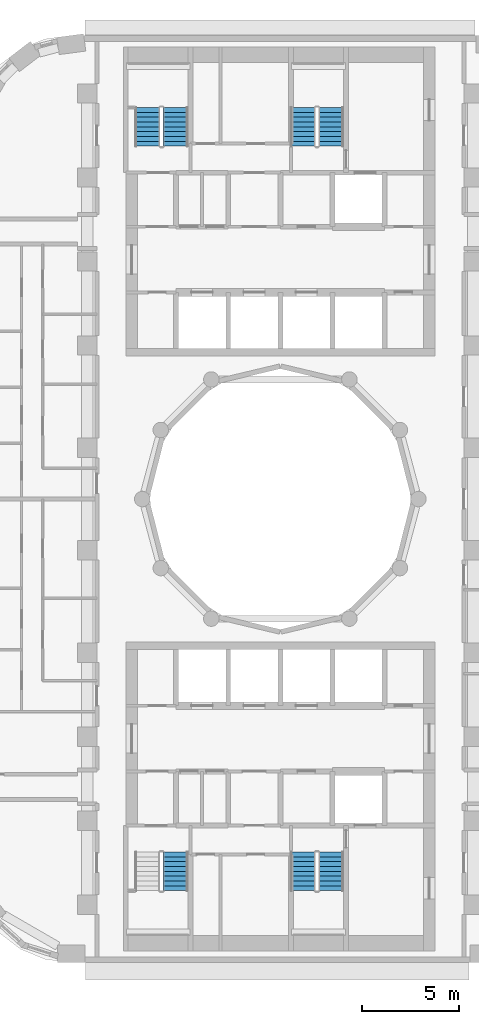
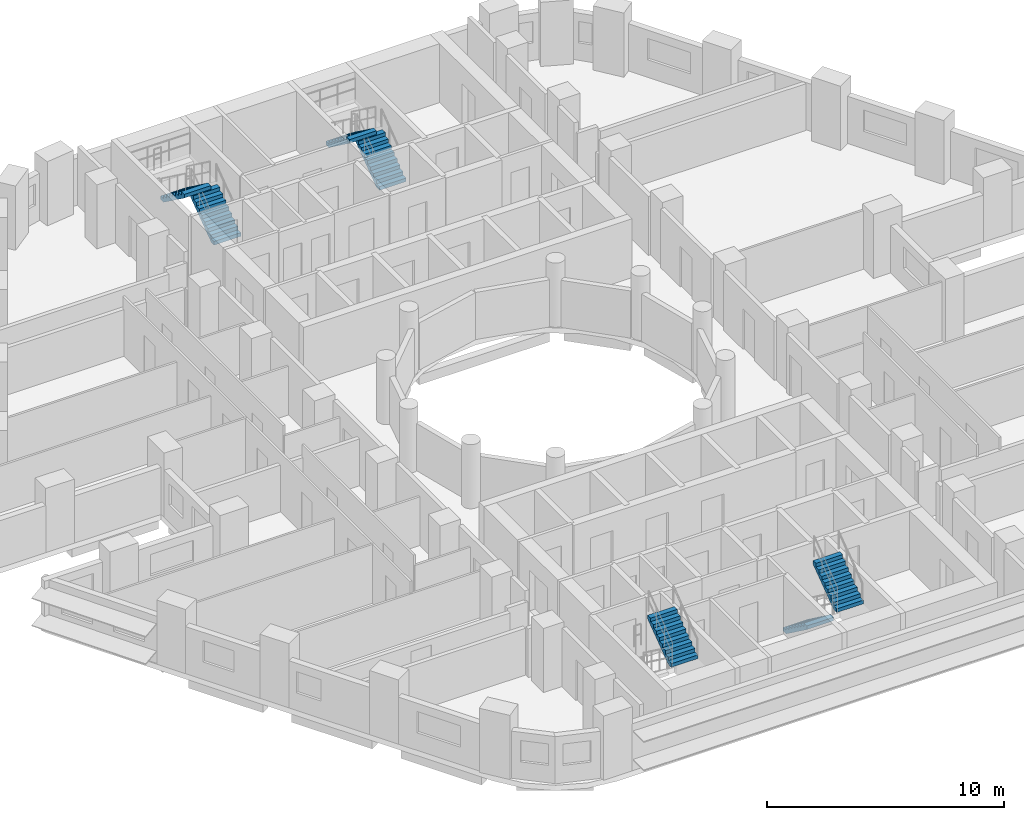
# One storey, part 9 of 14: 7 stair flights, 4 elements without a shape of their own.
"""IFC4 building model written with IfcOpenShell, lengths in metres."""

from ifc_helpers import new_model, si_unit, direction, frame, origin, place, context, subcontext, project, spatial, polyline, outline, extrude, material, type_object, element, aggregate, save


model = new_model("IFC4")

# Units and contexts
model_context = context("Model", 3, precision=1e-05, world=origin(), true_north=direction((0.0, 1.0)))
body_context = subcontext(model_context, "Body", "Model", "MODEL_VIEW")
ifc_project = project(units=[si_unit("LENGTHUNIT", "METRE"), si_unit("AREAUNIT", "SQUARE_METRE"), si_unit("VOLUMEUNIT", "CUBIC_METRE"), si_unit("PLANEANGLEUNIT", "RADIAN"), si_unit("MASSUNIT", "GRAM", prefix="KILO")], contexts=[model_context])

# Site, building, storey
site_placement = place(None, origin())
site = spatial("IfcSite", under=ifc_project, at=site_placement, CompositionType="ELEMENT")
building_placement = place(site_placement, origin())
building = spatial("IfcBuilding", under=site, at=building_placement, Name="Nakaniwa Court", CompositionType="ELEMENT")
storey_placement = place(building_placement, frame((0.0, 0.0, 107.39990234375)))
storey = spatial("IfcBuildingStorey", under=building, at=storey_placement, Name="L28", CompositionType="ELEMENT", Elevation=107.39990234375)

# Stair, stair flights
ifc_material = material(Name="Concrete C80/100", Category="concrete")
stair_type = type_object("IfcStairType", Name="Dog leg stair 1300 wide 18 risers", PredefinedType="HALF_TURN_STAIR", material=ifc_material)
stair_1_placement = place(storey_placement, origin())
stair_1 = element("IfcStair", 1, at=stair_1_placement, inside=storey, type_object=stair_type, Name="L28 Stair ST1", PredefinedType="HALF_TURN_STAIR")
stair_flight_type = type_object("IfcStairFlightType", Name="Stair flight 1300 wide 9 risers", PredefinedType="STRAIGHT", material=ifc_material)
stair_flight_1_placement = place(storey_placement, frame((74.574951171875, 98.27490234375, 0.0), z_axis=(0.0, 0.0, 1.0), x_axis=(0.0, 1.0, 0.0)))
stair_flight_1 = element("IfcStairFlight", 2, at=stair_flight_1_placement, type_object=stair_flight_type, Name="ST1 flight 1", NumberOfRisers=9, NumberOfTreads=8, PredefinedType="STRAIGHT", RiserHeight=0.183333333, TreadLength=0.25, context=body_context, shape_type="SweptSolid", body=[
    extrude(outline(polyline([(0.0, 0.0), (0.0, 0.026123046875), (0.0, 0.052490234375), (0.0, 0.07861328125), (0.0, 0.104736328125), (0.0, 0.130859375), (0.0, 0.1572265625), (0.0, 0.183349609375), (0.25, 0.183349609375), (0.25, 0.36669921875), (0.5, 0.36669921875), (0.5, 0.550048828125), (0.75, 0.550048828125), (0.75, 0.7333984375), (1.0, 0.7333984375), (1.0, 0.916748046875), (1.25, 0.916748046875), (1.25, 1.10009765625), (1.5, 1.10009765625), (1.5, 1.283447265625), (1.75, 1.283447265625), (1.75, 1.466552734375), (2.0, 1.466552734375), (2.0, 1.64990234375), (2.0, 1.59716796875), (2.0, 1.54443359375), (2.0, 1.49169921875), (2.0, 1.43896484375), (2.0, 1.38623046875), (2.0, 1.33349609375), (2.0, 1.28076171875), (0.25341796875, 0.0), (0.0, 0.0)])), frame((0.0, 0.64990234375, 0.0), z_axis=(0.0, -1.0, 0.0), x_axis=(1.0, 0.0, 0.0)), (0.0, 0.0, 1.0), 1.300048828125),
])
stair_flight_2_placement = place(storey_placement, frame((73.125, 100.27490234375, 1.650146484375), z_axis=(0.0, 0.0, 1.0), x_axis=(0.0, -1.0, 0.0)))
stair_flight_2 = element("IfcStairFlight", 3, at=stair_flight_2_placement, type_object=stair_flight_type, Name="ST1 flight 2", NumberOfRisers=9, NumberOfTreads=8, PredefinedType="STRAIGHT", RiserHeight=0.183333333, TreadLength=0.25, context=body_context, shape_type="SweptSolid", body=[
    extrude(outline(polyline([(0.0, 0.0), (0.0, 0.026123046875), (0.0, 0.052490234375), (0.0, 0.07861328125), (0.0, 0.104736328125), (0.0, 0.130859375), (0.0, 0.1572265625), (0.0, 0.183349609375), (0.25, 0.183349609375), (0.25, 0.36669921875), (0.5, 0.36669921875), (0.5, 0.550048828125), (0.75, 0.550048828125), (0.75, 0.7333984375), (1.0, 0.7333984375), (1.0, 0.916748046875), (1.25, 0.916748046875), (1.25, 1.10009765625), (1.5, 1.10009765625), (1.5, 1.283447265625), (1.75, 1.283447265625), (1.75, 1.466552734375), (2.0, 1.466552734375), (2.0, 1.64990234375), (2.0, 1.59716796875), (2.0, 1.54443359375), (2.0, 1.49169921875), (2.0, 1.43896484375), (2.0, 1.38623046875), (2.0, 1.33349609375), (2.0, 1.28076171875), (0.25341796875, 0.0), (0.0, 0.0)])), frame((0.0, 0.64990234375, 0.0), z_axis=(0.0, -1.0, 0.0), x_axis=(1.0, 0.0, 0.0)), (0.0, 0.0, 1.0), 1.300048828125),
])
aggregate(stair_1, [stair_flight_1, stair_flight_2])

stair_2_placement = place(storey_placement, origin())
stair_2 = element("IfcStair", 4, at=stair_2_placement, inside=storey, type_object=stair_type, Name="L28 Stair ST2", PredefinedType="HALF_TURN_STAIR")
stair_flight_3_placement = place(storey_placement, frame((82.625, 98.27490234375, 0.0), z_axis=(0.0, 0.0, 1.0), x_axis=(0.0, 1.0, 0.0)))
stair_flight_3 = element("IfcStairFlight", 5, at=stair_flight_3_placement, type_object=stair_flight_type, Name="ST2 flight 1", NumberOfRisers=9, NumberOfTreads=8, PredefinedType="STRAIGHT", RiserHeight=0.183333333, TreadLength=0.25, context=body_context, shape_type="SweptSolid", body=[
    extrude(outline(polyline([(0.0, 0.0), (0.0, 0.026123046875), (0.0, 0.052490234375), (0.0, 0.07861328125), (0.0, 0.104736328125), (0.0, 0.130859375), (0.0, 0.1572265625), (0.0, 0.183349609375), (0.25, 0.183349609375), (0.25, 0.36669921875), (0.5, 0.36669921875), (0.5, 0.550048828125), (0.75, 0.550048828125), (0.75, 0.7333984375), (1.0, 0.7333984375), (1.0, 0.916748046875), (1.25, 0.916748046875), (1.25, 1.10009765625), (1.5, 1.10009765625), (1.5, 1.283447265625), (1.75, 1.283447265625), (1.75, 1.466552734375), (2.0, 1.466552734375), (2.0, 1.64990234375), (2.0, 1.59716796875), (2.0, 1.54443359375), (2.0, 1.49169921875), (2.0, 1.43896484375), (2.0, 1.38623046875), (2.0, 1.33349609375), (2.0, 1.28076171875), (0.25341796875, 0.0), (0.0, 0.0)])), frame((0.0, 0.64990234375, 0.0), z_axis=(0.0, -1.0, 0.0), x_axis=(1.0, 0.0, 0.0)), (0.0, 0.0, 1.0), 1.300048828125),
])
stair_flight_4_placement = place(storey_placement, frame((81.175048828125, 100.27490234375, 1.650146484375), z_axis=(0.0, 0.0, 1.0), x_axis=(0.0, -1.0, 0.0)))
stair_flight_4 = element("IfcStairFlight", 6, at=stair_flight_4_placement, type_object=stair_flight_type, Name="ST2 flight 2", NumberOfRisers=9, NumberOfTreads=8, PredefinedType="STRAIGHT", RiserHeight=0.183333333, TreadLength=0.25, context=body_context, shape_type="SweptSolid", body=[
    extrude(outline(polyline([(0.0, 0.0), (0.0, 0.026123046875), (0.0, 0.052490234375), (0.0, 0.07861328125), (0.0, 0.104736328125), (0.0, 0.130859375), (0.0, 0.1572265625), (0.0, 0.183349609375), (0.25, 0.183349609375), (0.25, 0.36669921875), (0.5, 0.36669921875), (0.5, 0.550048828125), (0.75, 0.550048828125), (0.75, 0.7333984375), (1.0, 0.7333984375), (1.0, 0.916748046875), (1.25, 0.916748046875), (1.25, 1.10009765625), (1.5, 1.10009765625), (1.5, 1.283447265625), (1.75, 1.283447265625), (1.75, 1.466552734375), (2.0, 1.466552734375), (2.0, 1.64990234375), (2.0, 1.59716796875), (2.0, 1.54443359375), (2.0, 1.49169921875), (2.0, 1.43896484375), (2.0, 1.38623046875), (2.0, 1.33349609375), (2.0, 1.28076171875), (0.25341796875, 0.0), (0.0, 0.0)])), frame((0.0, 0.64990234375, 0.0), z_axis=(0.0, -1.0, 0.0), x_axis=(1.0, 0.0, 0.0)), (0.0, 0.0, 1.0), 1.300048828125),
])
aggregate(stair_2, [stair_flight_3, stair_flight_4])

# Stair, stair flight
stair_3_placement = place(storey_placement, origin())
stair_3 = element("IfcStair", 7, at=stair_3_placement, inside=storey, type_object=stair_type, Name="L28 Stair ST3", PredefinedType="HALF_TURN_STAIR")
stair_flight_5_placement = place(storey_placement, frame((74.574951171875, 59.72509765625, 1.650146484375), z_axis=(0.0, 0.0, 1.0), x_axis=(0.0, 1.0, 0.0)))
stair_flight_5 = element("IfcStairFlight", 8, at=stair_flight_5_placement, type_object=stair_flight_type, Name="ST3 flight 2", NumberOfRisers=9, NumberOfTreads=8, PredefinedType="STRAIGHT", RiserHeight=0.183333333, TreadLength=0.25, context=body_context, shape_type="SweptSolid", body=[
    extrude(outline(polyline([(0.0, 0.0), (0.0, 0.026123046875), (0.0, 0.052490234375), (0.0, 0.07861328125), (0.0, 0.104736328125), (0.0, 0.130859375), (0.0, 0.1572265625), (0.0, 0.183349609375), (0.25, 0.183349609375), (0.25, 0.36669921875), (0.5, 0.36669921875), (0.5, 0.550048828125), (0.75, 0.550048828125), (0.75, 0.7333984375), (1.0, 0.7333984375), (1.0, 0.916748046875), (1.25, 0.916748046875), (1.25, 1.10009765625), (1.5, 1.10009765625), (1.5, 1.283447265625), (1.75, 1.283447265625), (1.75, 1.466552734375), (2.0, 1.466552734375), (2.0, 1.64990234375), (2.0, 1.59716796875), (2.0, 1.54443359375), (2.0, 1.49169921875), (2.0, 1.43896484375), (2.0, 1.38623046875), (2.0, 1.33349609375), (2.0, 1.28076171875), (0.25341796875, 0.0), (0.0, 0.0)])), frame((0.0, 0.64990234375, 0.0), z_axis=(0.0, -1.0, 0.0), x_axis=(1.0, 0.0, 0.0)), (0.0, 0.0, 1.0), 1.300048828125),
])
aggregate(stair_3, [stair_flight_5])

# Stair, stair flights
stair_4_placement = place(storey_placement, origin())
stair_4 = element("IfcStair", 9, at=stair_4_placement, inside=storey, type_object=stair_type, Name="L28 Stair ST4", PredefinedType="HALF_TURN_STAIR")
stair_flight_6_placement = place(storey_placement, frame((81.175048828125, 61.72509765625, 0.0), z_axis=(0.0, 0.0, 1.0), x_axis=(0.0, -1.0, 0.0)))
stair_flight_6 = element("IfcStairFlight", 10, at=stair_flight_6_placement, type_object=stair_flight_type, Name="ST4 flight 1", NumberOfRisers=9, NumberOfTreads=8, PredefinedType="STRAIGHT", RiserHeight=0.183333333, TreadLength=0.25, context=body_context, shape_type="SweptSolid", body=[
    extrude(outline(polyline([(0.0, 0.0), (0.0, 0.026123046875), (0.0, 0.052490234375), (0.0, 0.07861328125), (0.0, 0.104736328125), (0.0, 0.130859375), (0.0, 0.1572265625), (0.0, 0.183349609375), (0.25, 0.183349609375), (0.25, 0.36669921875), (0.5, 0.36669921875), (0.5, 0.550048828125), (0.75, 0.550048828125), (0.75, 0.7333984375), (1.0, 0.7333984375), (1.0, 0.916748046875), (1.25, 0.916748046875), (1.25, 1.10009765625), (1.5, 1.10009765625), (1.5, 1.283447265625), (1.75, 1.283447265625), (1.75, 1.466552734375), (2.0, 1.466552734375), (2.0, 1.64990234375), (2.0, 1.59716796875), (2.0, 1.54443359375), (2.0, 1.49169921875), (2.0, 1.43896484375), (2.0, 1.38623046875), (2.0, 1.33349609375), (2.0, 1.28076171875), (0.25341796875, 0.0), (0.0, 0.0)])), frame((0.0, 0.64990234375, 0.0), z_axis=(0.0, -1.0, 0.0), x_axis=(1.0, 0.0, 0.0)), (0.0, 0.0, 1.0), 1.300048828125),
])
stair_flight_7_placement = place(storey_placement, frame((82.625, 59.72509765625, 1.650146484375), z_axis=(0.0, 0.0, 1.0), x_axis=(0.0, 1.0, 0.0)))
stair_flight_7 = element("IfcStairFlight", 11, at=stair_flight_7_placement, type_object=stair_flight_type, Name="ST4 flight 2", NumberOfRisers=9, NumberOfTreads=8, PredefinedType="STRAIGHT", RiserHeight=0.183333333, TreadLength=0.25, context=body_context, shape_type="SweptSolid", body=[
    extrude(outline(polyline([(0.0, 0.0), (0.0, 0.026123046875), (0.0, 0.052490234375), (0.0, 0.07861328125), (0.0, 0.104736328125), (0.0, 0.130859375), (0.0, 0.1572265625), (0.0, 0.183349609375), (0.25, 0.183349609375), (0.25, 0.36669921875), (0.5, 0.36669921875), (0.5, 0.550048828125), (0.75, 0.550048828125), (0.75, 0.7333984375), (1.0, 0.7333984375), (1.0, 0.916748046875), (1.25, 0.916748046875), (1.25, 1.10009765625), (1.5, 1.10009765625), (1.5, 1.283447265625), (1.75, 1.283447265625), (1.75, 1.466552734375), (2.0, 1.466552734375), (2.0, 1.64990234375), (2.0, 1.59716796875), (2.0, 1.54443359375), (2.0, 1.49169921875), (2.0, 1.43896484375), (2.0, 1.38623046875), (2.0, 1.33349609375), (2.0, 1.28076171875), (0.25341796875, 0.0), (0.0, 0.0)])), frame((0.0, 0.64990234375, 0.0), z_axis=(0.0, -1.0, 0.0), x_axis=(1.0, 0.0, 0.0)), (0.0, 0.0, 1.0), 1.300048828125),
])
aggregate(stair_4, [stair_flight_6, stair_flight_7])

save(model, "model.ifc")
